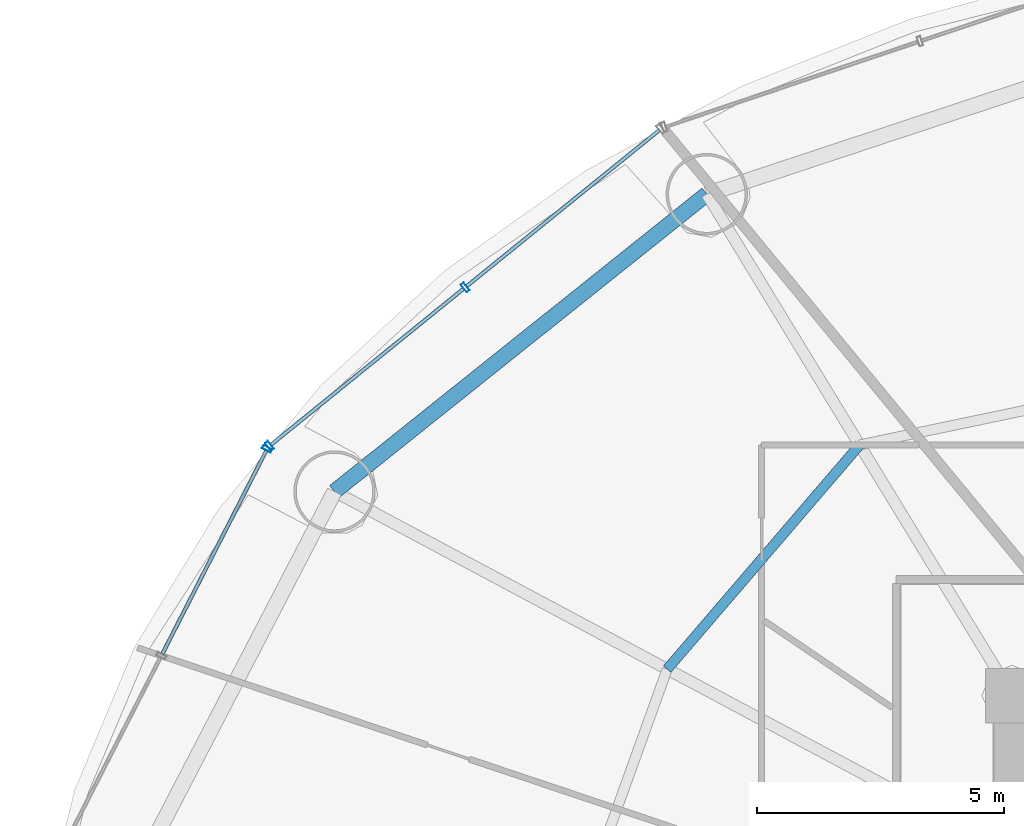
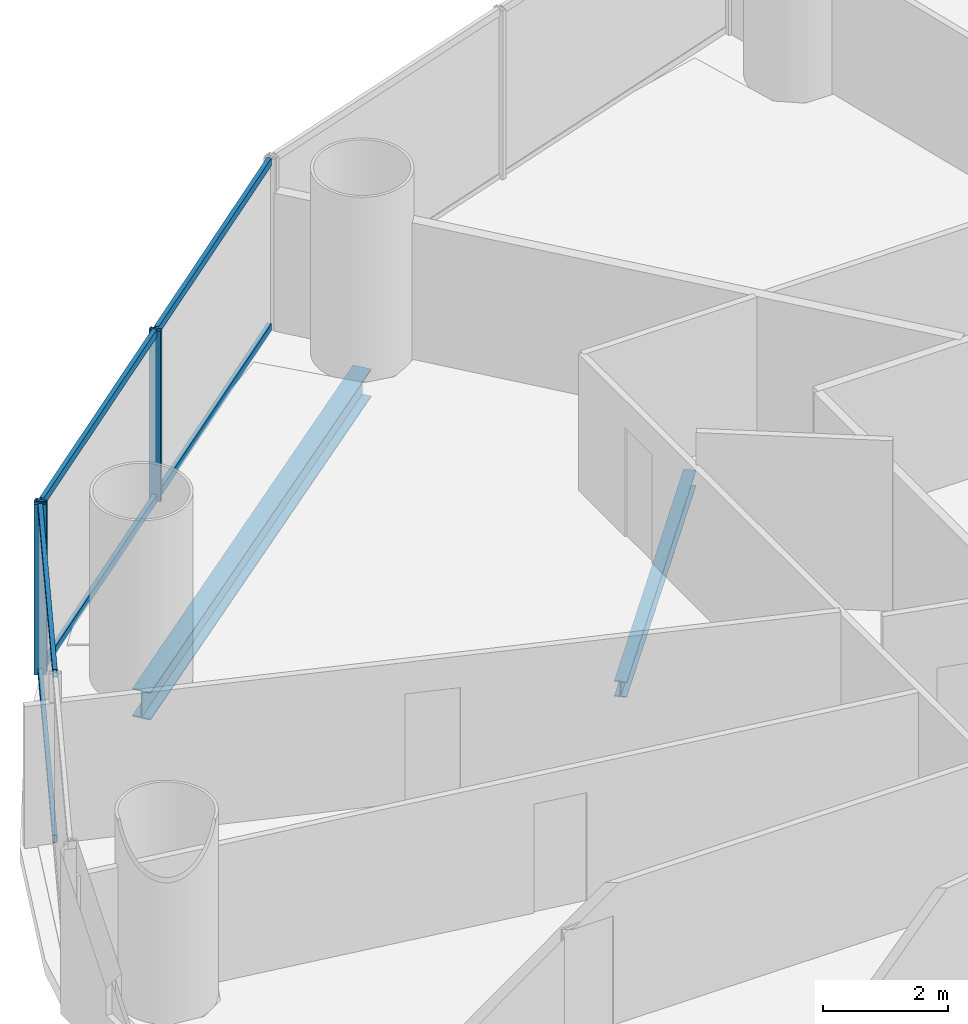
# One storey, part 13 of 28: 9 members, 2 beams, 2 elements without a shape of their own.
"""IFC4 building model written with IfcOpenShell, lengths in metres."""

from ifc_helpers import new_model, si_unit, direction, frame, origin, origin_2d, place, context, subcontext, project, spatial, hollow_rectangle, i_section, extrude, source, transform, mapped, material, material_profile, profile_set, type_object, element, aggregate, save


model = new_model("IFC4")

# Units and contexts
model_context = context("Model", 3, precision=1e-05, world=origin(), true_north=direction((-0.2419218956, 0.970295726276)))
body_context = subcontext(model_context, "Body", "Model", "MODEL_VIEW")
ifc_project = project(units=[si_unit("LENGTHUNIT", "METRE"), si_unit("AREAUNIT", "SQUARE_METRE"), si_unit("VOLUMEUNIT", "CUBIC_METRE"), si_unit("PLANEANGLEUNIT", "RADIAN"), si_unit("MASSUNIT", "GRAM", prefix="KILO")], contexts=[model_context])

# Site, building, storey
site_placement = place(None, origin())
site = spatial("IfcSite", under=ifc_project, at=site_placement, CompositionType="ELEMENT")
building_placement = place(site_placement, origin())
building = spatial("IfcBuilding", under=site, at=building_placement, Name="Cobrevalo Terracotta Tower", CompositionType="ELEMENT")
storey_placement = place(building_placement, frame((0.0, 0.0, 38.39990234375)))
storey = spatial("IfcBuildingStorey", under=building, at=storey_placement, Name="L09", CompositionType="ELEMENT", Elevation=38.39990234375)

# Beams
ifc_material_1 = material(Name="Steel S355", Category="steel")
ifc_material_profile_1 = material_profile(ifc_material_1, i_section(OverallWidth=0.2041015625, OverallDepth=0.305908203125, WebThickness=0.008544921875, FlangeThickness=0.0146484375, at=origin_2d()), Name="W 310x67")
ifc_profile_set_1 = profile_set([ifc_material_profile_1], Name="Steel S355")
beam_type_1 = type_object("IfcBeamType", Name="Structural Joist W 310x67 (Steel S355)", PredefinedType="JOIST", material=ifc_profile_set_1)
beam_1_placement = place(storey_placement, frame((25.902587890625, 39.8837890625, -0.432861328125), z_axis=(-0.651328404454, -0.758795960421, 0.0), x_axis=(0.758795960421, -0.651328404454, 0.0)))
element("IfcBeam", 1, at=beam_1_placement, inside=storey, type_object=beam_type_1, Name="L09 circumferential secondary floor joist 06", PredefinedType="JOIST", context=body_context, shape_type="SweptSolid", body=[
    extrude(i_section(OverallWidth=0.2041015625, OverallDepth=0.305908203125, WebThickness=0.008544921875, FlangeThickness=0.0146484375, at=origin_2d()), origin(), (0.0, 0.0, 1.0), 5.98828125),
])
ifc_material_profile_2 = material_profile(ifc_material_1, i_section(OverallWidth=0.31201171875, OverallDepth=0.54296875, WebThickness=0.0126953125, FlangeThickness=0.020263671875, at=origin_2d()), Name="W 530x150")
ifc_profile_set_2 = profile_set([ifc_material_profile_2], Name="Steel S355")
beam_type_2 = type_object("IfcBeamType", Name="Structural Spandrel W 530x150 (Steel S355)", PredefinedType="SPANDREL", material=ifc_profile_set_2)
beam_2_placement = place(storey_placement, frame((22.80517578125, 44.967529296875, -0.551513671875), z_axis=(-0.781292806807, -0.62416468182, 0.0), x_axis=(0.62416468182, -0.781292806807, 0.0)))
element("IfcBeam", 2, at=beam_2_placement, inside=storey, type_object=beam_type_2, Name="L09 perimeter ring spandrel 06", PredefinedType="SPANDREL", context=body_context, shape_type="SweptSolid", body=[
    extrude(i_section(OverallWidth=0.31201171875, OverallDepth=0.54296875, WebThickness=0.0126953125, FlangeThickness=0.020263671875, at=origin_2d()), origin(), (0.0, 0.0, 1.0), 9.658203125),
])

# Curtain wall, members
ifc_material_2 = material(Name="Anodized aluminium", Category="aluminium")
curtain_wall_type = type_object("IfcCurtainWallType", Name="Lower-tower unitised acoustic low-E curtain wall CW-U1", PredefinedType="NOTDEFINED", material=ifc_material_2)
curtain_wall_1_placement = place(storey_placement, origin())
curtain_wall_1 = element("IfcCurtainWall", 3, at=curtain_wall_1_placement, inside=storey, type_object=curtain_wall_type, Name="L09 curtain wall CW-L09-S06", PredefinedType="NOTDEFINED")
ifc_material_profile_3 = material_profile(ifc_material_2, hollow_rectangle(XDim=0.074951171875, YDim=0.199951171875, WallThickness=0.0048828125, at=origin_2d()), Name="CWM 75x200")
ifc_profile_set_3 = profile_set([ifc_material_profile_3], Name="Anodized aluminium")
member_type_1 = type_object("IfcMemberType", Name="Lower/mid tower unitised mullion 75x200", PredefinedType="MULLION", material=ifc_profile_set_3)
shared_shape_1 = source(origin(), body_context, "Body", "SweptSolid", [
    extrude(hollow_rectangle(XDim=0.074951171875, YDim=0.199951171875, WallThickness=0.0048828125, at=origin_2d()), origin(), (0.0, 0.0, 1.0), 3.320068359375),
])
member_1_placement = place(storey_placement, frame((17.90869140625, 43.076904296875, 0.0), z_axis=(0.0, 0.0, 1.0), x_axis=(-0.777003153187, -0.629496703675, 0.0)))
member_1 = element("IfcMember", 4, at=member_1_placement, type_object=member_type_1, Name="CW-L09-S06 vertical mullion 02", PredefinedType="MULLION", context=body_context, shape_type="MappedRepresentation", body=[
    mapped(shared_shape_1, transform((0.0, 0.0, 0.0), scale=1.0)),
])
member_2_placement = place(storey_placement, frame((13.943359375, 39.864501953125, 0.0), z_axis=(0.0, 0.0, 1.0), x_axis=(-0.777003153187, -0.629496703675, 0.0)))
member_2 = element("IfcMember", 5, at=member_2_placement, type_object=member_type_1, Name="CW-L09-S06 vertical mullion 03", PredefinedType="MULLION", context=body_context, shape_type="MappedRepresentation", body=[
    mapped(shared_shape_1, transform((0.0, 0.0, 0.0), scale=1.0)),
])

# Curtain wall, member
curtain_wall_2_placement = place(storey_placement, origin())
curtain_wall_2 = element("IfcCurtainWall", 6, at=curtain_wall_2_placement, inside=storey, type_object=curtain_wall_type, Name="L09 curtain wall CW-L09-S07", PredefinedType="NOTDEFINED")
member_3_placement = place(storey_placement, frame((13.89404296875, 39.8037109375, 0.0), z_axis=(0.0, 0.0, 1.0), x_axis=(-0.455234136597, -0.890371765543, 0.0)))
member_3 = element("IfcMember", 7, at=member_3_placement, type_object=member_type_1, Name="CW-L09-S07 vertical mullion 01", PredefinedType="MULLION", context=body_context, shape_type="MappedRepresentation", body=[
    mapped(shared_shape_1, transform((0.0, 0.0, 0.0), scale=1.0)),
])

# Member
ifc_material_profile_4 = material_profile(ifc_material_2, hollow_rectangle(XDim=0.074951171875, YDim=0.14990234375, WallThickness=0.00439453125, at=origin_2d()), Name="CWT 75x150")
ifc_profile_set_4 = profile_set([ifc_material_profile_4], Name="Anodized aluminium")
member_type_2 = type_object("IfcMemberType", Name="Tower unitised aluminium transom 75x150", PredefinedType="USERDEFINED", material=ifc_profile_set_4)
shared_shape_2 = source(origin(), body_context, "Body", "SweptSolid", [
    extrude(hollow_rectangle(XDim=0.074951171875, YDim=0.14990234375, WallThickness=0.00439453125, at=origin_2d()), origin(), (0.0, 0.0, 1.0), 5.0234375),
])
member_4_placement = place(storey_placement, frame((21.843017578125, 46.26416015625, 0.050048828125), z_axis=(-0.777022991593, -0.629472215857, 0.0), x_axis=(0.629472215857, -0.777022991593, 0.0)))
member_4 = element("IfcMember", 8, at=member_4_placement, type_object=member_type_2, Name="CW-L09-S06 transom B01-T1", ObjectType="TRANSOM", PredefinedType="USERDEFINED", context=body_context, shape_type="MappedRepresentation", body=[
    mapped(shared_shape_2, transform((0.0, 0.0, 0.0), scale=1.0)),
])

member_5_placement = place(storey_placement, frame((21.843017578125, 46.26416015625, 3.27001953125), z_axis=(-0.777022991593, -0.629472215857, 0.0), x_axis=(0.629472215857, -0.777022991593, 0.0)))
member_5 = element("IfcMember", 9, at=member_5_placement, type_object=member_type_2, Name="CW-L09-S06 transom B01-T2", ObjectType="TRANSOM", PredefinedType="USERDEFINED", context=body_context, shape_type="MappedRepresentation", body=[
    mapped(shared_shape_2, transform((0.0, 0.0, 0.0), scale=1.0)),
])

member_6_placement = place(storey_placement, frame((17.877685546875, 43.0517578125, 0.050048828125), z_axis=(-0.777022991593, -0.629472215857, 0.0), x_axis=(0.629472215857, -0.777022991593, 0.0)))
member_6 = element("IfcMember", 10, at=member_6_placement, type_object=member_type_2, Name="CW-L09-S06 transom B02-T1", ObjectType="TRANSOM", PredefinedType="USERDEFINED", context=body_context, shape_type="MappedRepresentation", body=[
    mapped(shared_shape_2, transform((0.0, 0.0, 0.0), scale=1.0)),
])

member_7_placement = place(storey_placement, frame((17.877685546875, 43.0517578125, 3.27001953125), z_axis=(-0.777022991593, -0.629472215857, 0.0), x_axis=(0.629472215857, -0.777022991593, 0.0)))
member_7 = element("IfcMember", 11, at=member_7_placement, type_object=member_type_2, Name="CW-L09-S06 transom B02-T2", ObjectType="TRANSOM", PredefinedType="USERDEFINED", context=body_context, shape_type="MappedRepresentation", body=[
    mapped(shared_shape_2, transform((0.0, 0.0, 0.0), scale=1.0)),
])

aggregate(curtain_wall_1, [member_1, member_2, member_4, member_5, member_6, member_7])

shared_shape_3 = source(origin(), body_context, "Body", "SweptSolid", [
    extrude(hollow_rectangle(XDim=0.074951171875, YDim=0.14990234375, WallThickness=0.00439453125, at=origin_2d()), origin(), (0.0, 0.0, 1.0), 4.63134765625),
])
member_8_placement = place(storey_placement, frame((13.8759765625, 39.76806640625, 0.050048828125), z_axis=(-0.455250376494, -0.890363462133, 0.0), x_axis=(0.890363462133, -0.455250376494, 0.0)))
member_8 = element("IfcMember", 12, at=member_8_placement, type_object=member_type_2, Name="CW-L09-S07 transom B01-T1", ObjectType="TRANSOM", PredefinedType="USERDEFINED", context=body_context, shape_type="MappedRepresentation", body=[
    mapped(shared_shape_3, transform((0.0, 0.0, 0.0), scale=1.0)),
])

member_9_placement = place(storey_placement, frame((13.8759765625, 39.76806640625, 3.27001953125), z_axis=(-0.455250376494, -0.890363462133, 0.0), x_axis=(0.890363462133, -0.455250376494, 0.0)))
member_9 = element("IfcMember", 13, at=member_9_placement, type_object=member_type_2, Name="CW-L09-S07 transom B01-T2", ObjectType="TRANSOM", PredefinedType="USERDEFINED", context=body_context, shape_type="MappedRepresentation", body=[
    mapped(shared_shape_3, transform((0.0, 0.0, 0.0), scale=1.0)),
])

aggregate(curtain_wall_2, [member_3, member_8, member_9])

save(model, "model.ifc")
